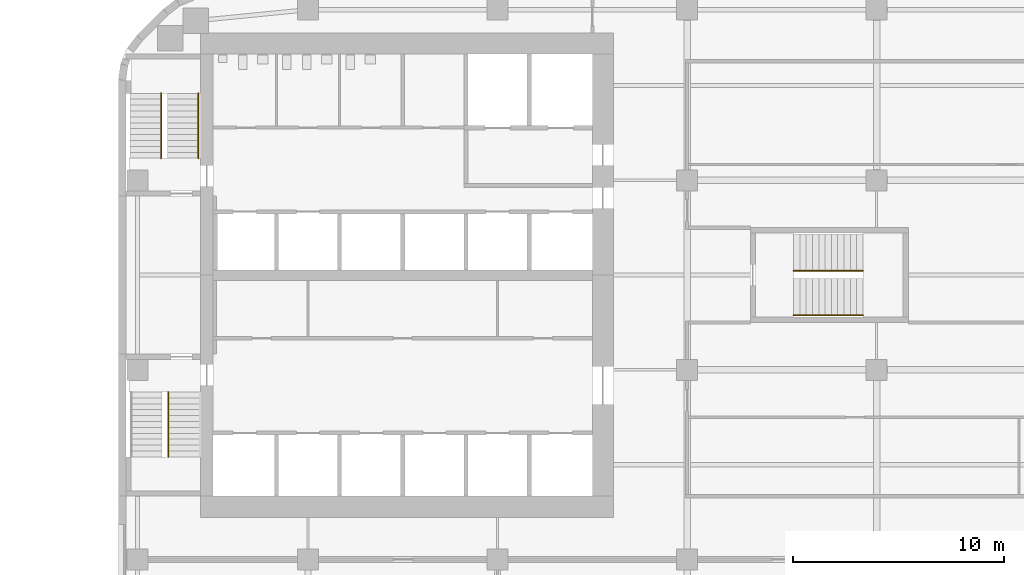
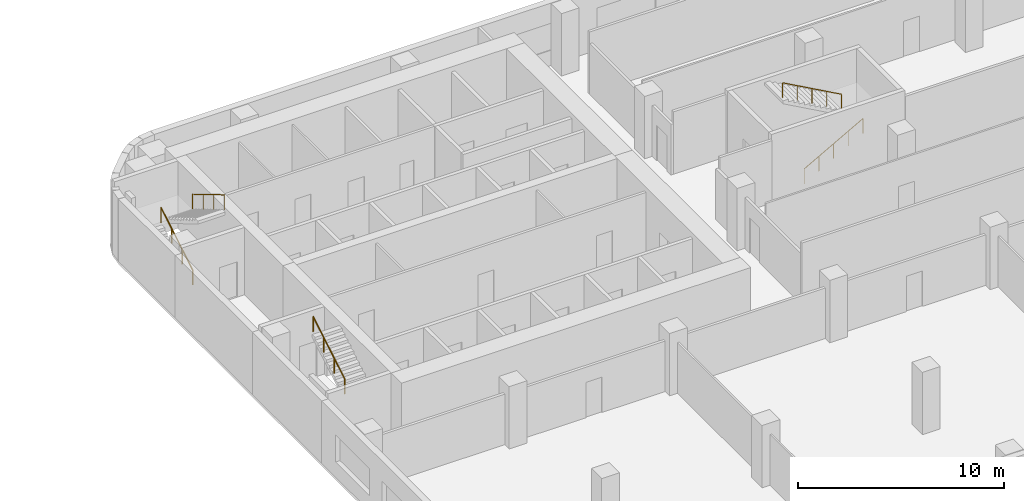
# One storey, part 14 of 15: 5 railings, 3 elements without a shape of their own.
"""IFC4 building model written with IfcOpenShell, lengths in metres."""

from ifc_helpers import new_model, si_unit, direction, frame, origin, origin_2d, place, context, subcontext, project, spatial, circle, extrude, material, type_object, element, aggregate, save


model = new_model("IFC4")

# Units and contexts
model_context = context("Model", 3, precision=1e-05, world=origin(), true_north=direction((0.0, 1.0)))
body_context = subcontext(model_context, "Body", "Model", "MODEL_VIEW")
ifc_project = project(units=[si_unit("LENGTHUNIT", "METRE"), si_unit("AREAUNIT", "SQUARE_METRE"), si_unit("VOLUMEUNIT", "CUBIC_METRE"), si_unit("PLANEANGLEUNIT", "RADIAN"), si_unit("MASSUNIT", "GRAM", prefix="KILO")], contexts=[model_context])

# Site, building, storey
site_placement = place(None, origin())
site = spatial("IfcSite", under=ifc_project, at=site_placement, CompositionType="ELEMENT")
building_placement = place(site_placement, origin())
building = spatial("IfcBuilding", under=site, at=building_placement, Name="Cinnabar Reach Civic Tower", CompositionType="ELEMENT")
storey_placement = place(building_placement, frame((0.0, 0.0, 91.0)))
storey = spatial("IfcBuildingStorey", under=building, at=storey_placement, Name="L21", CompositionType="ELEMENT", Elevation=91.0)

# Stair, railing
ifc_material_1 = material(Name="Concrete C40/50", Category="concrete")
stair_type = type_object("IfcStairType", Name="T1 Exit stair, half-turn", PredefinedType="HALF_TURN_STAIR", material=ifc_material_1)
stair_1_placement = place(storey_placement, origin())
stair_1 = element("IfcStair", 1, at=stair_1_placement, inside=storey, type_object=stair_type, Name="Stair T1-S1", PredefinedType="HALF_TURN_STAIR")
ifc_material_2 = material(Name="Stainless steel tube", Category="steel")
railing_type = type_object("IfcRailingType", Name="T1 Stair handrail, stainless tube 48", PredefinedType="HANDRAIL", material=ifc_material_2)
railing_1_placement = place(storey_placement, frame((2.375, 22.87, 2.1667)))
railing_1 = element("IfcRailing", 2, at=railing_1_placement, type_object=railing_type, Name="T1-S1 handrail 2", PredefinedType="HANDRAIL", context=body_context, shape_type="SweptSolid", body=[
    extrude(circle(Radius=0.024, at=origin_2d()), frame((0.0, 0.0, 0.876), z_axis=(0.0, 0.859296971757, 0.511476992962), x_axis=(-1.0, 0.0, 0.0)), (0.0, 0.0, 1.0), 3.5843),
    extrude(circle(Radius=0.021, at=origin_2d()), origin(), (0.0, 0.0, 1.0), 0.852),
    extrude(circle(Radius=0.021, at=origin_2d()), frame((0.0, 1.0267, 0.6111)), (0.0, 0.0, 1.0), 0.852),
    extrude(circle(Radius=0.021, at=origin_2d()), frame((0.0, 2.0533, 1.2222)), (0.0, 0.0, 1.0), 0.852),
    extrude(circle(Radius=0.021, at=origin_2d()), frame((0.0, 3.08, 1.8333)), (0.0, 0.0, 1.0), 0.852),
])
aggregate(stair_1, [railing_1])

# Stair, railings
stair_2_placement = place(storey_placement, origin())
stair_2 = element("IfcStair", 3, at=stair_2_placement, inside=storey, type_object=stair_type, Name="Stair T1-S2", PredefinedType="HALF_TURN_STAIR")
railing_2_placement = place(storey_placement, frame((2.025, 37.05, 0.1667)))
railing_2 = element("IfcRailing", 4, at=railing_2_placement, type_object=railing_type, Name="T1-S2 handrail 1", PredefinedType="HANDRAIL", context=body_context, shape_type="SweptSolid", body=[
    extrude(circle(Radius=0.024, at=origin_2d()), frame((0.0, 0.0, 0.876), z_axis=(0.0, 0.859296971757, 0.511476992962), x_axis=(-1.0, 0.0, 0.0)), (0.0, 0.0, 1.0), 3.5843),
    extrude(circle(Radius=0.021, at=origin_2d()), origin(), (0.0, 0.0, 1.0), 0.852),
    extrude(circle(Radius=0.021, at=origin_2d()), frame((0.0, 1.0267, 0.6111)), (0.0, 0.0, 1.0), 0.852),
    extrude(circle(Radius=0.021, at=origin_2d()), frame((0.0, 2.0533, 1.2222)), (0.0, 0.0, 1.0), 0.852),
    extrude(circle(Radius=0.021, at=origin_2d()), frame((0.0, 3.08, 1.8333)), (0.0, 0.0, 1.0), 0.852),
])
railing_3_placement = place(storey_placement, frame((3.8, 40.13, 2.1667)))
railing_3 = element("IfcRailing", 5, at=railing_3_placement, type_object=railing_type, Name="T1-S2 handrail 2", PredefinedType="HANDRAIL", context=body_context, shape_type="SweptSolid", body=[
    extrude(circle(Radius=0.024, at=origin_2d()), frame((0.0, 0.0, 0.876), z_axis=(0.0, -0.859296971757, 0.511476992962), x_axis=(1.0, 0.0, 0.0)), (0.0, 0.0, 1.0), 3.5843),
    extrude(circle(Radius=0.021, at=origin_2d()), origin(), (0.0, 0.0, 1.0), 0.852),
    extrude(circle(Radius=0.021, at=origin_2d()), frame((0.0, -1.0267, 0.6111)), (0.0, 0.0, 1.0), 0.852),
    extrude(circle(Radius=0.021, at=origin_2d()), frame((0.0, -2.0533, 1.2222)), (0.0, 0.0, 1.0), 0.852),
    extrude(circle(Radius=0.021, at=origin_2d()), frame((0.0, -3.08, 1.8333)), (0.0, 0.0, 1.0), 0.852),
])
aggregate(stair_2, [railing_2, railing_3])

stair_3_placement = place(storey_placement, origin())
stair_3 = element("IfcStair", 6, at=stair_3_placement, inside=storey, type_object=stair_type, Name="Stair T1-S3", PredefinedType="HALF_TURN_STAIR")
railing_4_placement = place(storey_placement, frame((32.05, 29.6, 0.1667)))
railing_4 = element("IfcRailing", 7, at=railing_4_placement, type_object=railing_type, Name="T1-S3 handrail 1", PredefinedType="HANDRAIL", context=body_context, shape_type="SweptSolid", body=[
    extrude(circle(Radius=0.024, at=origin_2d()), frame((0.0, 0.0, 0.876), z_axis=(0.874161024642, 0.0, 0.485636183781), x_axis=(0.0, 1.0, 0.0)), (0.0, 0.0, 1.0), 3.775),
    extrude(circle(Radius=0.021, at=origin_2d()), origin(), (0.0, 0.0, 1.0), 0.852),
    extrude(circle(Radius=0.021, at=origin_2d()), frame((0.825, 0.0, 0.4583)), (0.0, 0.0, 1.0), 0.852),
    extrude(circle(Radius=0.021, at=origin_2d()), frame((1.65, 0.0, 0.9166)), (0.0, 0.0, 1.0), 0.852),
    extrude(circle(Radius=0.021, at=origin_2d()), frame((2.475, 0.0, 1.375)), (0.0, 0.0, 1.0), 0.852),
    extrude(circle(Radius=0.021, at=origin_2d()), frame((3.3, 0.0, 1.8333)), (0.0, 0.0, 1.0), 0.852),
])
railing_5_placement = place(storey_placement, frame((35.35, 31.7, 2.1667)))
railing_5 = element("IfcRailing", 8, at=railing_5_placement, type_object=railing_type, Name="T1-S3 handrail 2", PredefinedType="HANDRAIL", context=body_context, shape_type="SweptSolid", body=[
    extrude(circle(Radius=0.024, at=origin_2d()), frame((0.0, 0.0, 0.876), z_axis=(-0.874161024642, 0.0, 0.485636183781), x_axis=(0.0, -1.0, 0.0)), (0.0, 0.0, 1.0), 3.775),
    extrude(circle(Radius=0.021, at=origin_2d()), origin(), (0.0, 0.0, 1.0), 0.852),
    extrude(circle(Radius=0.021, at=origin_2d()), frame((-0.825, 0.0, 0.4583)), (0.0, 0.0, 1.0), 0.852),
    extrude(circle(Radius=0.021, at=origin_2d()), frame((-1.65, 0.0, 0.9166)), (0.0, 0.0, 1.0), 0.852),
    extrude(circle(Radius=0.021, at=origin_2d()), frame((-2.475, 0.0, 1.375)), (0.0, 0.0, 1.0), 0.852),
    extrude(circle(Radius=0.021, at=origin_2d()), frame((-3.3, 0.0, 1.8333)), (0.0, 0.0, 1.0), 0.852),
])
aggregate(stair_3, [railing_4, railing_5])

save(model, "model.ifc")
